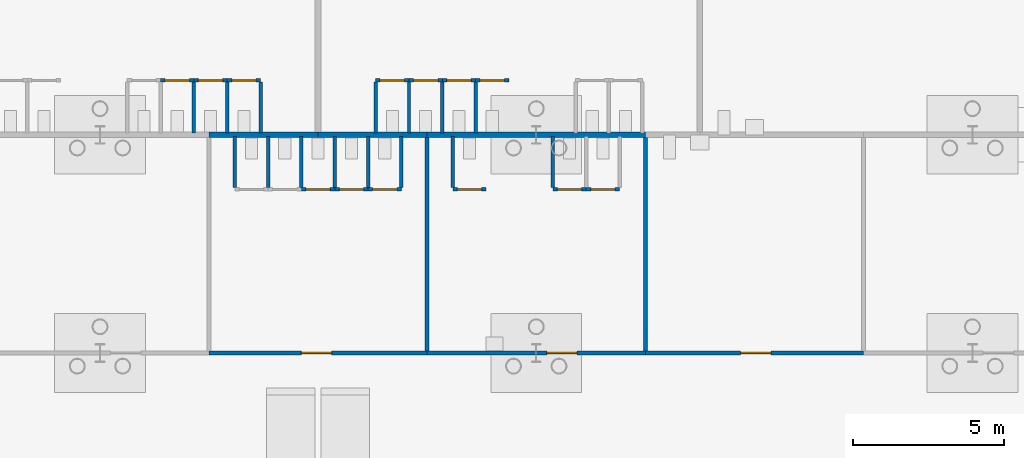
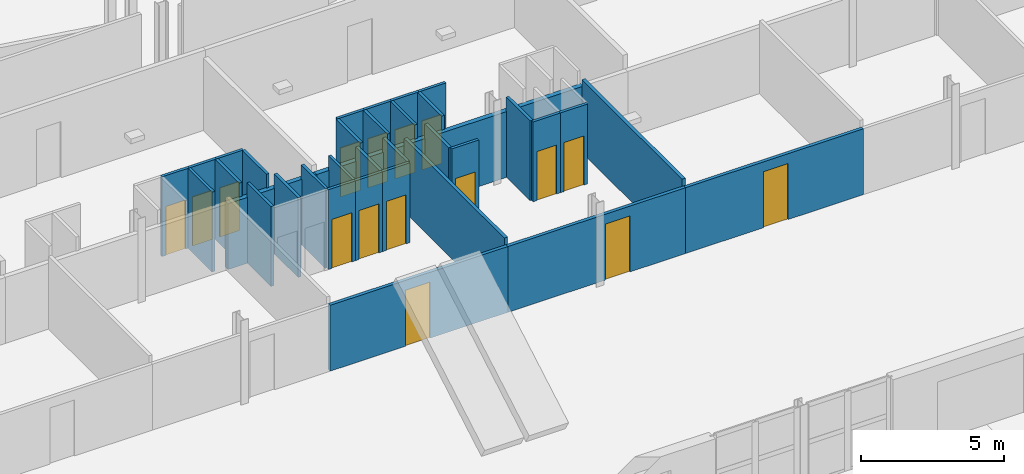
# One storey, part 77 of 148: 36 walls, 16 doors, 16 openings.
"""IFC4 building model written with IfcOpenShell, lengths in metres."""

from ifc_helpers import new_model, si_unit, direction, frame, frame_2d, origin, place, context, subcontext, project, spatial, rectangle, extrude, material, layer, layer_set, type_object, element, fill, save


model = new_model("IFC4")

# Units and contexts
model_context = context("Model", 3, precision=1e-05, world=origin(), true_north=direction((0.0, 1.0)))
body_context = subcontext(model_context, "Body", "Model", "MODEL_VIEW")
ifc_project = project(units=[si_unit("LENGTHUNIT", "METRE"), si_unit("AREAUNIT", "SQUARE_METRE"), si_unit("VOLUMEUNIT", "CUBIC_METRE"), si_unit("PLANEANGLEUNIT", "RADIAN"), si_unit("MASSUNIT", "GRAM", prefix="KILO")], contexts=[model_context])

# Site, building, storey
site_placement = place(None, origin())
site = spatial("IfcSite", under=ifc_project, at=site_placement, CompositionType="ELEMENT")
building_placement = place(site_placement, origin())
building = spatial("IfcBuilding", under=site, at=building_placement, Name="Kupolbacken Congress Centre", CompositionType="ELEMENT")
storey_placement = place(building_placement, origin())
storey = spatial("IfcBuildingStorey", under=building, at=storey_placement, Name="L00", CompositionType="ELEMENT", Elevation=0.0)

# Walls
ifc_material_1 = material(Name="Gypsum board", Category="drywall")
ifc_layer_1 = layer(ifc_material_1, 0.114990234375)
ifc_layer_set_1 = layer_set([ifc_layer_1], Name="Gypsum board")
wall_type_1 = type_object("IfcWallType", Name="P04 partition 115", PredefinedType="PARTITIONING", material=ifc_layer_set_1)
for number, where, z_axis, x_axis, name in (
    (1, (40.449951171875, 50.342529296875, 0.0), (0.0, 0.0, 1.0), (0.0, -1.0, 0.0), "PD/L00/F-19/cub01/a"),
    (2, (41.550048828125, 50.342529296875, 0.0), (0.0, 0.0, 1.0), (0.0, -1.0, 0.0), "PD/L00/F-19/cub02/a"),
):
    element("IfcWall", number, at=place(storey_placement, frame(where, z_axis=z_axis, x_axis=x_axis)), inside=storey, type_object=wall_type_1, Name=name, PredefinedType="PARTITIONING", context=body_context, shape_type="SweptSolid", body=[
        extrude(rectangle(XDim=1.68505859375, YDim=0.114990234375, at=frame_2d((0.842529296875, 0.0))), origin(), (0.0, 0.0, 1.0), 3.419921875),
    ])

# Wall, opening, door
wall_1_placement = place(storey_placement, frame((42.64990234375, 48.60009765625, 0.0), z_axis=(0.0, 0.0, 1.0), x_axis=(1.0, 0.0, 0.0)))
wall_1 = element("IfcWall", 3, at=wall_1_placement, inside=storey, type_object=wall_type_1, Name="PD/L00/F-19/cub03/F", PredefinedType="PARTITIONING", context=body_context, shape_type="SweptSolid", body=[
    extrude(rectangle(XDim=1.10009765625, YDim=0.114990234375, at=frame_2d((0.550048828125, 0.0))), origin(), (0.0, 0.0, 1.0), 3.419921875),
])
opening_1_placement = place(wall_1_placement, frame((0.14990234375, 0.0, 0.0)))
opening_1 = element("IfcOpeningElement", 4, at=opening_1_placement, cuts=wall_1, Name="Opening 0.WF03", PredefinedType="OPENING", context=body_context, shape_type="SweptSolid", body=[
    extrude(rectangle(XDim=0.800048828125, YDim=2.10009765625, at=frame_2d((0.39990234375, 1.050048828125))), frame((0.0, 0.0673828125, 0.0), z_axis=(0.0, -1.0, 0.0), x_axis=(1.0, 0.0, 0.0)), (0.0, 0.0, 1.0), 0.135009765625),
])
ifc_material_2 = material(Name="Timber door leaf", Category="wood")
door_type_1 = type_object("IfcDoorType", Name="D2 door 800x2100", OperationType="SINGLE_SWING_LEFT", PredefinedType="DOOR", material=ifc_material_2)
door_1_placement = place(opening_1_placement, origin())
door_1 = element("IfcDoor", 5, at=door_1_placement, inside=storey, type_object=door_type_1, Name="PD/L00/F-19/cub03/F/DC", OperationType="SINGLE_SWING_LEFT", OverallHeight=2.10009765625, OverallWidth=0.800048828125, PredefinedType="DOOR", context=body_context, shape_type="SweptSolid", body=[
    extrude(rectangle(XDim=0.800048828125, YDim=2.10009765625, at=frame_2d((0.39990234375, 1.050048828125))), frame((0.0, 0.02490234375, 0.0), z_axis=(0.0, -1.0, 0.0), x_axis=(1.0, 0.0, 0.0)), (0.0, 0.0, 1.0), 0.050048828125),
])
fill(opening_1, door_1)

# Wall
wall_2_placement = place(storey_placement, frame((42.64990234375, 50.342529296875, 0.0), z_axis=(0.0, 0.0, 1.0), x_axis=(0.0, -1.0, 0.0)))
element("IfcWall", 6, at=wall_2_placement, inside=storey, type_object=wall_type_1, Name="PD/L00/F-19/cub03/a", PredefinedType="PARTITIONING", context=body_context, shape_type="SweptSolid", body=[
    extrude(rectangle(XDim=1.68505859375, YDim=0.114990234375, at=frame_2d((0.842529296875, 0.0))), origin(), (0.0, 0.0, 1.0), 3.419921875),
])

# Wall, opening, door
wall_3_placement = place(storey_placement, frame((43.75, 48.60009765625, 0.0), z_axis=(0.0, 0.0, 1.0), x_axis=(1.0, 0.0, 0.0)))
wall_3 = element("IfcWall", 7, at=wall_3_placement, inside=storey, type_object=wall_type_1, Name="PD/L00/F-19/cub04/F", PredefinedType="PARTITIONING", context=body_context, shape_type="SweptSolid", body=[
    extrude(rectangle(XDim=1.10009765625, YDim=0.114990234375, at=frame_2d((0.550048828125, 0.0))), origin(), (0.0, 0.0, 1.0), 3.419921875),
])
opening_2_placement = place(wall_3_placement, frame((0.14990234375, 0.0, 0.0)))
opening_2 = element("IfcOpeningElement", 8, at=opening_2_placement, cuts=wall_3, Name="Opening 0.WF04", PredefinedType="OPENING", context=body_context, shape_type="SweptSolid", body=[
    extrude(rectangle(XDim=0.800048828125, YDim=2.10009765625, at=frame_2d((0.39990234375, 1.050048828125))), frame((0.0, 0.0673828125, 0.0), z_axis=(0.0, -1.0, 0.0), x_axis=(1.0, 0.0, 0.0)), (0.0, 0.0, 1.0), 0.135009765625),
])
door_2_placement = place(opening_2_placement, origin())
door_2 = element("IfcDoor", 9, at=door_2_placement, inside=storey, type_object=door_type_1, Name="PD/L00/F-19/cub04/F/DC", OperationType="SINGLE_SWING_RIGHT", OverallHeight=2.10009765625, OverallWidth=0.800048828125, PredefinedType="DOOR", context=body_context, shape_type="SweptSolid", body=[
    extrude(rectangle(XDim=0.800048828125, YDim=2.10009765625, at=frame_2d((0.39990234375, 1.050048828125))), frame((0.0, 0.02490234375, 0.0), z_axis=(0.0, -1.0, 0.0), x_axis=(1.0, 0.0, 0.0)), (0.0, 0.0, 1.0), 0.050048828125),
])
fill(opening_2, door_2)

# Wall
wall_4_placement = place(storey_placement, frame((43.75, 50.342529296875, 0.0), z_axis=(0.0, 0.0, 1.0), x_axis=(0.0, -1.0, 0.0)))
element("IfcWall", 10, at=wall_4_placement, inside=storey, type_object=wall_type_1, Name="PD/L00/F-19/cub04/a", PredefinedType="PARTITIONING", context=body_context, shape_type="SweptSolid", body=[
    extrude(rectangle(XDim=1.68505859375, YDim=0.114990234375, at=frame_2d((0.842529296875, 0.0))), origin(), (0.0, 0.0, 1.0), 3.419921875),
])

# Wall, opening, door
wall_5_placement = place(storey_placement, frame((44.85009765625, 48.60009765625, 0.0), z_axis=(0.0, 0.0, 1.0), x_axis=(1.0, 0.0, 0.0)))
wall_5 = element("IfcWall", 11, at=wall_5_placement, inside=storey, type_object=wall_type_1, Name="PD/L00/F-19/cub05/F", PredefinedType="PARTITIONING", context=body_context, shape_type="SweptSolid", body=[
    extrude(rectangle(XDim=1.099853515625, YDim=0.114990234375, at=frame_2d((0.5498046875, 0.0))), origin(), (0.0, 0.0, 1.0), 3.419921875),
])
opening_3_placement = place(wall_5_placement, frame((0.14990234375, 0.0, 0.0)))
opening_3 = element("IfcOpeningElement", 12, at=opening_3_placement, cuts=wall_5, Name="Opening 0.WF05", PredefinedType="OPENING", context=body_context, shape_type="SweptSolid", body=[
    extrude(rectangle(XDim=0.800048828125, YDim=2.10009765625, at=frame_2d((0.39990234375, 1.050048828125))), frame((0.0, 0.0673828125, 0.0), z_axis=(0.0, -1.0, 0.0), x_axis=(1.0, 0.0, 0.0)), (0.0, 0.0, 1.0), 0.135009765625),
])
door_3_placement = place(opening_3_placement, origin())
door_3 = element("IfcDoor", 13, at=door_3_placement, inside=storey, type_object=door_type_1, Name="PD/L00/F-19/cub05/F/DC", OperationType="SINGLE_SWING_RIGHT", OverallHeight=2.10009765625, OverallWidth=0.800048828125, PredefinedType="DOOR", context=body_context, shape_type="SweptSolid", body=[
    extrude(rectangle(XDim=0.800048828125, YDim=2.10009765625, at=frame_2d((0.39990234375, 1.050048828125))), frame((0.0, 0.02490234375, 0.0), z_axis=(0.0, -1.0, 0.0), x_axis=(1.0, 0.0, 0.0)), (0.0, 0.0, 1.0), 0.050048828125),
])
fill(opening_3, door_3)

# Walls
for number, where, z_axis, x_axis, name in (
    (14, (44.85009765625, 50.342529296875, 0.0), (0.0, 0.0, 1.0), (0.0, -1.0, 0.0), "PD/L00/F-19/cub05/a"),
    (15, (45.949951171875, 50.342529296875, 0.0), (0.0, 0.0, 1.0), (0.0, -1.0, 0.0), "PD/L00/F-19/cub05/b"),
):
    element("IfcWall", number, at=place(storey_placement, frame(where, z_axis=z_axis, x_axis=x_axis)), inside=storey, type_object=wall_type_1, Name=name, PredefinedType="PARTITIONING", context=body_context, shape_type="SweptSolid", body=[
        extrude(rectangle(XDim=1.68505859375, YDim=0.114990234375, at=frame_2d((0.842529296875, 0.0))), origin(), (0.0, 0.0, 1.0), 3.419921875),
    ])

# Wall, opening, door
wall_6_placement = place(storey_placement, frame((47.64990234375, 48.60009765625, 0.0), z_axis=(0.0, 0.0, 1.0), x_axis=(1.0, 0.0, 0.0)))
wall_6 = element("IfcWall", 16, at=wall_6_placement, inside=storey, type_object=wall_type_1, Name="PD/L00/F-20/cub01/F", PredefinedType="PARTITIONING", context=body_context, shape_type="SweptSolid", body=[
    extrude(rectangle(XDim=1.10009765625, YDim=0.114990234375, at=frame_2d((0.550048828125, 0.0))), origin(), (0.0, 0.0, 1.0), 3.419921875),
])
opening_4_placement = place(wall_6_placement, frame((0.14990234375, 0.0, 0.0)))
opening_4 = element("IfcOpeningElement", 17, at=opening_4_placement, cuts=wall_6, Name="Opening 0.WF06", PredefinedType="OPENING", context=body_context, shape_type="SweptSolid", body=[
    extrude(rectangle(XDim=0.800048828125, YDim=2.10009765625, at=frame_2d((0.39990234375, 1.050048828125))), frame((0.0, 0.0673828125, 0.0), z_axis=(0.0, -1.0, 0.0), x_axis=(1.0, 0.0, 0.0)), (0.0, 0.0, 1.0), 0.135009765625),
])
door_4_placement = place(opening_4_placement, origin())
door_4 = element("IfcDoor", 18, at=door_4_placement, inside=storey, type_object=door_type_1, Name="PD/L00/F-20/cub01/F/DC", OperationType="SINGLE_SWING_RIGHT", OverallHeight=2.10009765625, OverallWidth=0.800048828125, PredefinedType="DOOR", context=body_context, shape_type="SweptSolid", body=[
    extrude(rectangle(XDim=0.800048828125, YDim=2.10009765625, at=frame_2d((0.39990234375, 1.050048828125))), frame((0.0, 0.02490234375, 0.0), z_axis=(0.0, -1.0, 0.0), x_axis=(1.0, 0.0, 0.0)), (0.0, 0.0, 1.0), 0.050048828125),
])
fill(opening_4, door_4)

# Wall
wall_7_placement = place(storey_placement, frame((47.64990234375, 50.342529296875, 0.0), z_axis=(0.0, 0.0, 1.0), x_axis=(0.0, -1.0, 0.0)))
element("IfcWall", 19, at=wall_7_placement, inside=storey, type_object=wall_type_1, Name="PD/L00/F-20/cub01/a", PredefinedType="PARTITIONING", context=body_context, shape_type="SweptSolid", body=[
    extrude(rectangle(XDim=1.68505859375, YDim=0.114990234375, at=frame_2d((0.842529296875, 0.0))), origin(), (0.0, 0.0, 1.0), 3.419921875),
])

# Wall, opening, door
wall_8_placement = place(storey_placement, frame((50.949951171875, 48.60009765625, 0.0), z_axis=(0.0, 0.0, 1.0), x_axis=(1.0, 0.0, 0.0)))
wall_8 = element("IfcWall", 20, at=wall_8_placement, inside=storey, type_object=wall_type_1, Name="PD/L00/F-20/cub04/F", PredefinedType="PARTITIONING", context=body_context, shape_type="SweptSolid", body=[
    extrude(rectangle(XDim=1.10009765625, YDim=0.114990234375, at=frame_2d((0.550048828125, 0.0))), origin(), (0.0, 0.0, 1.0), 3.419921875),
])
opening_5_placement = place(wall_8_placement, frame((0.14990234375, 0.0, 0.0)))
opening_5 = element("IfcOpeningElement", 21, at=opening_5_placement, cuts=wall_8, Name="Opening 0.WF07", PredefinedType="OPENING", context=body_context, shape_type="SweptSolid", body=[
    extrude(rectangle(XDim=0.800048828125, YDim=2.10009765625, at=frame_2d((0.39990234375, 1.050048828125))), frame((0.0, 0.0673828125, 0.0), z_axis=(0.0, -1.0, 0.0), x_axis=(1.0, 0.0, 0.0)), (0.0, 0.0, 1.0), 0.135009765625),
])
door_5_placement = place(opening_5_placement, origin())
door_5 = element("IfcDoor", 22, at=door_5_placement, inside=storey, type_object=door_type_1, Name="PD/L00/F-20/cub04/F/DC", OperationType="SINGLE_SWING_LEFT", OverallHeight=2.10009765625, OverallWidth=0.800048828125, PredefinedType="DOOR", context=body_context, shape_type="SweptSolid", body=[
    extrude(rectangle(XDim=0.800048828125, YDim=2.10009765625, at=frame_2d((0.39990234375, 1.050048828125))), frame((0.0, 0.02490234375, 0.0), z_axis=(0.0, -1.0, 0.0), x_axis=(1.0, 0.0, 0.0)), (0.0, 0.0, 1.0), 0.050048828125),
])
fill(opening_5, door_5)

# Wall
wall_9_placement = place(storey_placement, frame((50.949951171875, 50.342529296875, 0.0), z_axis=(0.0, 0.0, 1.0), x_axis=(0.0, -1.0, 0.0)))
element("IfcWall", 23, at=wall_9_placement, inside=storey, type_object=wall_type_1, Name="PD/L00/F-20/cub04/a", PredefinedType="PARTITIONING", context=body_context, shape_type="SweptSolid", body=[
    extrude(rectangle(XDim=1.68505859375, YDim=0.114990234375, at=frame_2d((0.842529296875, 0.0))), origin(), (0.0, 0.0, 1.0), 3.419921875),
])

# Wall, opening, door
wall_10_placement = place(storey_placement, frame((52.050048828125, 48.60009765625, 0.0), z_axis=(0.0, 0.0, 1.0), x_axis=(1.0, 0.0, 0.0)))
wall_10 = element("IfcWall", 24, at=wall_10_placement, inside=storey, type_object=wall_type_1, Name="PD/L00/F-20/cub05/F", PredefinedType="PARTITIONING", context=body_context, shape_type="SweptSolid", body=[
    extrude(rectangle(XDim=1.099853515625, YDim=0.114990234375, at=frame_2d((0.5498046875, 0.0))), origin(), (0.0, 0.0, 1.0), 3.419921875),
])
opening_6_placement = place(wall_10_placement, frame((0.14990234375, 0.0, 0.0)))
opening_6 = element("IfcOpeningElement", 25, at=opening_6_placement, cuts=wall_10, Name="Opening 0.WF08", PredefinedType="OPENING", context=body_context, shape_type="SweptSolid", body=[
    extrude(rectangle(XDim=0.800048828125, YDim=2.10009765625, at=frame_2d((0.39990234375, 1.050048828125))), frame((0.0, 0.0673828125, 0.0), z_axis=(0.0, -1.0, 0.0), x_axis=(1.0, 0.0, 0.0)), (0.0, 0.0, 1.0), 0.135009765625),
])
door_6_placement = place(opening_6_placement, origin())
door_6 = element("IfcDoor", 26, at=door_6_placement, inside=storey, type_object=door_type_1, Name="PD/L00/F-20/cub05/F/DC", OperationType="SINGLE_SWING_RIGHT", OverallHeight=2.10009765625, OverallWidth=0.800048828125, PredefinedType="DOOR", context=body_context, shape_type="SweptSolid", body=[
    extrude(rectangle(XDim=0.800048828125, YDim=2.10009765625, at=frame_2d((0.39990234375, 1.050048828125))), frame((0.0, 0.02490234375, 0.0), z_axis=(0.0, -1.0, 0.0), x_axis=(1.0, 0.0, 0.0)), (0.0, 0.0, 1.0), 0.050048828125),
])
fill(opening_6, door_6)

wall_11_placement = place(storey_placement, frame((38.0, 52.199951171875, 0.0), z_axis=(0.0, 0.0, 1.0), x_axis=(1.0, 0.0, 0.0)))
wall_11 = element("IfcWall", 27, at=wall_11_placement, inside=storey, type_object=wall_type_1, Name="PD/L00/P-29-10/cub06/F", PredefinedType="PARTITIONING", context=body_context, shape_type="SweptSolid", body=[
    extrude(rectangle(XDim=1.10009765625, YDim=0.114990234375, at=frame_2d((0.550048828125, 0.0))), origin(), (0.0, 0.0, 1.0), 3.419921875),
])
opening_7_placement = place(wall_11_placement, frame((0.14990234375, 0.0, 0.0)))
opening_7 = element("IfcOpeningElement", 28, at=opening_7_placement, cuts=wall_11, Name="Opening 0.WP12", PredefinedType="OPENING", context=body_context, shape_type="SweptSolid", body=[
    extrude(rectangle(XDim=0.800048828125, YDim=2.10009765625, at=frame_2d((0.39990234375, 1.050048828125))), frame((0.0, 0.0673828125, 0.0), z_axis=(0.0, -1.0, 0.0), x_axis=(1.0, 0.0, 0.0)), (0.0, 0.0, 1.0), 0.135009765625),
])
door_7_placement = place(opening_7_placement, origin())
door_7 = element("IfcDoor", 29, at=door_7_placement, inside=storey, type_object=door_type_1, Name="PD/L00/P-29-10/cub06/F/DC", OperationType="SINGLE_SWING_LEFT", OverallHeight=2.10009765625, OverallWidth=0.800048828125, PredefinedType="DOOR", context=body_context, shape_type="SweptSolid", body=[
    extrude(rectangle(XDim=0.800048828125, YDim=2.10009765625, at=frame_2d((0.39990234375, 1.050048828125))), frame((0.0, 0.02490234375, 0.0), z_axis=(0.0, -1.0, 0.0), x_axis=(1.0, 0.0, 0.0)), (0.0, 0.0, 1.0), 0.050048828125),
])
fill(opening_7, door_7)

wall_12_placement = place(storey_placement, frame((39.10009765625, 52.199951171875, 0.0), z_axis=(0.0, 0.0, 1.0), x_axis=(1.0, 0.0, 0.0)))
wall_12 = element("IfcWall", 30, at=wall_12_placement, inside=storey, type_object=wall_type_1, Name="PD/L00/P-29-10/cub07/F", PredefinedType="PARTITIONING", context=body_context, shape_type="SweptSolid", body=[
    extrude(rectangle(XDim=1.099853515625, YDim=0.114990234375, at=frame_2d((0.5498046875, 0.0))), origin(), (0.0, 0.0, 1.0), 3.419921875),
])
opening_8_placement = place(wall_12_placement, frame((0.14990234375, 0.0, 0.0)))
opening_8 = element("IfcOpeningElement", 31, at=opening_8_placement, cuts=wall_12, Name="Opening 0.WP13", PredefinedType="OPENING", context=body_context, shape_type="SweptSolid", body=[
    extrude(rectangle(XDim=0.800048828125, YDim=2.10009765625, at=frame_2d((0.39990234375, 1.050048828125))), frame((0.0, 0.0673828125, 0.0), z_axis=(0.0, -1.0, 0.0), x_axis=(1.0, 0.0, 0.0)), (0.0, 0.0, 1.0), 0.135009765625),
])
door_8_placement = place(opening_8_placement, origin())
door_8 = element("IfcDoor", 32, at=door_8_placement, inside=storey, type_object=door_type_1, Name="PD/L00/P-29-10/cub07/F/DC", OperationType="SINGLE_SWING_LEFT", OverallHeight=2.10009765625, OverallWidth=0.800048828125, PredefinedType="DOOR", context=body_context, shape_type="SweptSolid", body=[
    extrude(rectangle(XDim=0.800048828125, YDim=2.10009765625, at=frame_2d((0.39990234375, 1.050048828125))), frame((0.0, 0.02490234375, 0.0), z_axis=(0.0, -1.0, 0.0), x_axis=(1.0, 0.0, 0.0)), (0.0, 0.0, 1.0), 0.050048828125),
])
fill(opening_8, door_8)

# Wall
wall_13_placement = place(storey_placement, frame((39.10009765625, 50.45751953125, 0.0), z_axis=(0.0, 0.0, 1.0), x_axis=(0.0, 1.0, 0.0)))
element("IfcWall", 33, at=wall_13_placement, inside=storey, type_object=wall_type_1, Name="PD/L00/P-29-10/cub07/a", PredefinedType="PARTITIONING", context=body_context, shape_type="SweptSolid", body=[
    extrude(rectangle(XDim=1.68505859375, YDim=0.114990234375, at=frame_2d((0.842529296875, 0.0))), origin(), (0.0, 0.0, 1.0), 3.419921875),
])

# Wall, opening, door
wall_14_placement = place(storey_placement, frame((40.199951171875, 52.199951171875, 0.0), z_axis=(0.0, 0.0, 1.0), x_axis=(1.0, 0.0, 0.0)))
wall_14 = element("IfcWall", 34, at=wall_14_placement, inside=storey, type_object=wall_type_1, Name="PD/L00/P-29-10/cub08/F", PredefinedType="PARTITIONING", context=body_context, shape_type="SweptSolid", body=[
    extrude(rectangle(XDim=1.10009765625, YDim=0.114990234375, at=frame_2d((0.550048828125, 0.0))), origin(), (0.0, 0.0, 1.0), 3.419921875),
])
opening_9_placement = place(wall_14_placement, frame((0.14990234375, 0.0, 0.0)))
opening_9 = element("IfcOpeningElement", 35, at=opening_9_placement, cuts=wall_14, Name="Opening 0.WP14", PredefinedType="OPENING", context=body_context, shape_type="SweptSolid", body=[
    extrude(rectangle(XDim=0.800048828125, YDim=2.10009765625, at=frame_2d((0.39990234375, 1.050048828125))), frame((0.0, 0.0673828125, 0.0), z_axis=(0.0, -1.0, 0.0), x_axis=(1.0, 0.0, 0.0)), (0.0, 0.0, 1.0), 0.135009765625),
])
door_9_placement = place(opening_9_placement, origin())
door_9 = element("IfcDoor", 36, at=door_9_placement, inside=storey, type_object=door_type_1, Name="PD/L00/P-29-10/cub08/F/DC", OperationType="SINGLE_SWING_LEFT", OverallHeight=2.10009765625, OverallWidth=0.800048828125, PredefinedType="DOOR", context=body_context, shape_type="SweptSolid", body=[
    extrude(rectangle(XDim=0.800048828125, YDim=2.10009765625, at=frame_2d((0.39990234375, 1.050048828125))), frame((0.0, 0.02490234375, 0.0), z_axis=(0.0, -1.0, 0.0), x_axis=(1.0, 0.0, 0.0)), (0.0, 0.0, 1.0), 0.050048828125),
])
fill(opening_9, door_9)

# Walls
for number, where, z_axis, x_axis, name in (
    (37, (40.199951171875, 50.45751953125, 0.0), (0.0, 0.0, 1.0), (0.0, 1.0, 0.0), "PD/L00/P-29-10/cub08/a"),
    (38, (41.300048828125, 50.45751953125, 0.0), (0.0, 0.0, 1.0), (0.0, 1.0, 0.0), "PD/L00/P-29-10/cub08/b"),
):
    element("IfcWall", number, at=place(storey_placement, frame(where, z_axis=z_axis, x_axis=x_axis)), inside=storey, type_object=wall_type_1, Name=name, PredefinedType="PARTITIONING", context=body_context, shape_type="SweptSolid", body=[
        extrude(rectangle(XDim=1.68505859375, YDim=0.114990234375, at=frame_2d((0.842529296875, 0.0))), origin(), (0.0, 0.0, 1.0), 3.419921875),
    ])

# Wall, opening, door
wall_15_placement = place(storey_placement, frame((45.10009765625, 52.199951171875, 0.0), z_axis=(0.0, 0.0, 1.0), x_axis=(1.0, 0.0, 0.0)))
wall_15 = element("IfcWall", 39, at=wall_15_placement, inside=storey, type_object=wall_type_1, Name="PD/L00/P-30-11/cub01/F", PredefinedType="PARTITIONING", context=body_context, shape_type="SweptSolid", body=[
    extrude(rectangle(XDim=1.099853515625, YDim=0.114990234375, at=frame_2d((0.5498046875, 0.0))), origin(), (0.0, 0.0, 1.0), 3.419921875),
])
opening_10_placement = place(wall_15_placement, frame((0.14990234375, 0.0, 0.0)))
opening_10 = element("IfcOpeningElement", 40, at=opening_10_placement, cuts=wall_15, Name="Opening 0.WP15", PredefinedType="OPENING", context=body_context, shape_type="SweptSolid", body=[
    extrude(rectangle(XDim=0.800048828125, YDim=2.10009765625, at=frame_2d((0.39990234375, 1.050048828125))), frame((0.0, 0.0673828125, 0.0), z_axis=(0.0, -1.0, 0.0), x_axis=(1.0, 0.0, 0.0)), (0.0, 0.0, 1.0), 0.135009765625),
])
door_10_placement = place(opening_10_placement, origin())
door_10 = element("IfcDoor", 41, at=door_10_placement, inside=storey, type_object=door_type_1, Name="PD/L00/P-30-11/cub01/F/DC", OperationType="SINGLE_SWING_RIGHT", OverallHeight=2.10009765625, OverallWidth=0.800048828125, PredefinedType="DOOR", context=body_context, shape_type="SweptSolid", body=[
    extrude(rectangle(XDim=0.800048828125, YDim=2.10009765625, at=frame_2d((0.39990234375, 1.050048828125))), frame((0.0, 0.02490234375, 0.0), z_axis=(0.0, -1.0, 0.0), x_axis=(1.0, 0.0, 0.0)), (0.0, 0.0, 1.0), 0.050048828125),
])
fill(opening_10, door_10)

# Wall
wall_16_placement = place(storey_placement, frame((45.10009765625, 50.45751953125, 0.0), z_axis=(0.0, 0.0, 1.0), x_axis=(0.0, 1.0, 0.0)))
element("IfcWall", 42, at=wall_16_placement, inside=storey, type_object=wall_type_1, Name="PD/L00/P-30-11/cub01/a", PredefinedType="PARTITIONING", context=body_context, shape_type="SweptSolid", body=[
    extrude(rectangle(XDim=1.68505859375, YDim=0.114990234375, at=frame_2d((0.842529296875, 0.0))), origin(), (0.0, 0.0, 1.0), 3.419921875),
])

# Wall, opening, door
wall_17_placement = place(storey_placement, frame((46.199951171875, 52.199951171875, 0.0), z_axis=(0.0, 0.0, 1.0), x_axis=(1.0, 0.0, 0.0)))
wall_17 = element("IfcWall", 43, at=wall_17_placement, inside=storey, type_object=wall_type_1, Name="PD/L00/P-30-11/cub02/F", PredefinedType="PARTITIONING", context=body_context, shape_type="SweptSolid", body=[
    extrude(rectangle(XDim=1.10009765625, YDim=0.114990234375, at=frame_2d((0.550048828125, 0.0))), origin(), (0.0, 0.0, 1.0), 3.419921875),
])
opening_11_placement = place(wall_17_placement, frame((0.14990234375, 0.0, 0.0)))
opening_11 = element("IfcOpeningElement", 44, at=opening_11_placement, cuts=wall_17, Name="Opening 0.WP16", PredefinedType="OPENING", context=body_context, shape_type="SweptSolid", body=[
    extrude(rectangle(XDim=0.800048828125, YDim=2.10009765625, at=frame_2d((0.39990234375, 1.050048828125))), frame((0.0, 0.0673828125, 0.0), z_axis=(0.0, -1.0, 0.0), x_axis=(1.0, 0.0, 0.0)), (0.0, 0.0, 1.0), 0.135009765625),
])
door_11_placement = place(opening_11_placement, origin())
door_11 = element("IfcDoor", 45, at=door_11_placement, inside=storey, type_object=door_type_1, Name="PD/L00/P-30-11/cub02/F/DC", OperationType="SINGLE_SWING_LEFT", OverallHeight=2.10009765625, OverallWidth=0.800048828125, PredefinedType="DOOR", context=body_context, shape_type="SweptSolid", body=[
    extrude(rectangle(XDim=0.800048828125, YDim=2.10009765625, at=frame_2d((0.39990234375, 1.050048828125))), frame((0.0, 0.02490234375, 0.0), z_axis=(0.0, -1.0, 0.0), x_axis=(1.0, 0.0, 0.0)), (0.0, 0.0, 1.0), 0.050048828125),
])
fill(opening_11, door_11)

# Wall
wall_18_placement = place(storey_placement, frame((46.199951171875, 50.45751953125, 0.0), z_axis=(0.0, 0.0, 1.0), x_axis=(0.0, 1.0, 0.0)))
element("IfcWall", 46, at=wall_18_placement, inside=storey, type_object=wall_type_1, Name="PD/L00/P-30-11/cub02/a", PredefinedType="PARTITIONING", context=body_context, shape_type="SweptSolid", body=[
    extrude(rectangle(XDim=1.68505859375, YDim=0.114990234375, at=frame_2d((0.842529296875, 0.0))), origin(), (0.0, 0.0, 1.0), 3.419921875),
])

# Wall, opening, door
wall_19_placement = place(storey_placement, frame((47.300048828125, 52.199951171875, 0.0), z_axis=(0.0, 0.0, 1.0), x_axis=(1.0, 0.0, 0.0)))
wall_19 = element("IfcWall", 47, at=wall_19_placement, inside=storey, type_object=wall_type_1, Name="PD/L00/P-30-11/cub03/F", PredefinedType="PARTITIONING", context=body_context, shape_type="SweptSolid", body=[
    extrude(rectangle(XDim=1.099853515625, YDim=0.114990234375, at=frame_2d((0.5498046875, 0.0))), origin(), (0.0, 0.0, 1.0), 3.419921875),
])
opening_12_placement = place(wall_19_placement, frame((0.14990234375, 0.0, 0.0)))
opening_12 = element("IfcOpeningElement", 48, at=opening_12_placement, cuts=wall_19, Name="Opening 0.WP17", PredefinedType="OPENING", context=body_context, shape_type="SweptSolid", body=[
    extrude(rectangle(XDim=0.800048828125, YDim=2.10009765625, at=frame_2d((0.39990234375, 1.050048828125))), frame((0.0, 0.0673828125, 0.0), z_axis=(0.0, -1.0, 0.0), x_axis=(1.0, 0.0, 0.0)), (0.0, 0.0, 1.0), 0.135009765625),
])
door_12_placement = place(opening_12_placement, origin())
door_12 = element("IfcDoor", 49, at=door_12_placement, inside=storey, type_object=door_type_1, Name="PD/L00/P-30-11/cub03/F/DC", OperationType="SINGLE_SWING_RIGHT", OverallHeight=2.10009765625, OverallWidth=0.800048828125, PredefinedType="DOOR", context=body_context, shape_type="SweptSolid", body=[
    extrude(rectangle(XDim=0.800048828125, YDim=2.10009765625, at=frame_2d((0.39990234375, 1.050048828125))), frame((0.0, 0.02490234375, 0.0), z_axis=(0.0, -1.0, 0.0), x_axis=(1.0, 0.0, 0.0)), (0.0, 0.0, 1.0), 0.050048828125),
])
fill(opening_12, door_12)

# Wall
wall_20_placement = place(storey_placement, frame((47.300048828125, 50.45751953125, 0.0), z_axis=(0.0, 0.0, 1.0), x_axis=(0.0, 1.0, 0.0)))
element("IfcWall", 50, at=wall_20_placement, inside=storey, type_object=wall_type_1, Name="PD/L00/P-30-11/cub03/a", PredefinedType="PARTITIONING", context=body_context, shape_type="SweptSolid", body=[
    extrude(rectangle(XDim=1.68505859375, YDim=0.114990234375, at=frame_2d((0.842529296875, 0.0))), origin(), (0.0, 0.0, 1.0), 3.419921875),
])

# Wall, opening, door
wall_21_placement = place(storey_placement, frame((48.39990234375, 52.199951171875, 0.0), z_axis=(0.0, 0.0, 1.0), x_axis=(1.0, 0.0, 0.0)))
wall_21 = element("IfcWall", 51, at=wall_21_placement, inside=storey, type_object=wall_type_1, Name="PD/L00/P-30-11/cub04/F", PredefinedType="PARTITIONING", context=body_context, shape_type="SweptSolid", body=[
    extrude(rectangle(XDim=1.10009765625, YDim=0.114990234375, at=frame_2d((0.550048828125, 0.0))), origin(), (0.0, 0.0, 1.0), 3.419921875),
])
opening_13_placement = place(wall_21_placement, frame((0.14990234375, 0.0, 0.0)))
opening_13 = element("IfcOpeningElement", 52, at=opening_13_placement, cuts=wall_21, Name="Opening 0.WP18", PredefinedType="OPENING", context=body_context, shape_type="SweptSolid", body=[
    extrude(rectangle(XDim=0.800048828125, YDim=2.10009765625, at=frame_2d((0.39990234375, 1.050048828125))), frame((0.0, 0.0673828125, 0.0), z_axis=(0.0, -1.0, 0.0), x_axis=(1.0, 0.0, 0.0)), (0.0, 0.0, 1.0), 0.135009765625),
])
door_13_placement = place(opening_13_placement, origin())
door_13 = element("IfcDoor", 53, at=door_13_placement, inside=storey, type_object=door_type_1, Name="PD/L00/P-30-11/cub04/F/DC", OperationType="SINGLE_SWING_RIGHT", OverallHeight=2.10009765625, OverallWidth=0.800048828125, PredefinedType="DOOR", context=body_context, shape_type="SweptSolid", body=[
    extrude(rectangle(XDim=0.800048828125, YDim=2.10009765625, at=frame_2d((0.39990234375, 1.050048828125))), frame((0.0, 0.02490234375, 0.0), z_axis=(0.0, -1.0, 0.0), x_axis=(1.0, 0.0, 0.0)), (0.0, 0.0, 1.0), 0.050048828125),
])
fill(opening_13, door_13)

# Wall
wall_22_placement = place(storey_placement, frame((48.39990234375, 50.45751953125, 0.0), z_axis=(0.0, 0.0, 1.0), x_axis=(0.0, 1.0, 0.0)))
element("IfcWall", 54, at=wall_22_placement, inside=storey, type_object=wall_type_1, Name="PD/L00/P-30-11/cub04/a", PredefinedType="PARTITIONING", context=body_context, shape_type="SweptSolid", body=[
    extrude(rectangle(XDim=1.68505859375, YDim=0.114990234375, at=frame_2d((0.842529296875, 0.0))), origin(), (0.0, 0.0, 1.0), 3.419921875),
])

# Wall, opening, door
ifc_material_3 = material(Name="Gypsum board", Category="drywall")
ifc_layer_2 = layer(ifc_material_3, 0.135009765625)
ifc_layer_set_2 = layer_set([ifc_layer_2], Name="Gypsum board")
wall_type_2 = type_object("IfcWallType", Name="P06 compartment wall 135", PredefinedType="PARTITIONING", material=ifc_layer_set_2)
wall_23_placement = place(storey_placement, frame((39.60009765625, 43.199951171875, 0.0), z_axis=(0.0, 0.0, 1.0), x_axis=(1.0, 0.0, 0.0)))
wall_23 = element("IfcWall", 55, at=wall_23_placement, inside=storey, type_object=wall_type_2, Name="PD/L00/W033", PredefinedType="PARTITIONING", context=body_context, shape_type="SweptSolid", body=[
    extrude(rectangle(XDim=7.199951171875, YDim=0.135009765625, at=frame_2d((3.60009765625, 0.0))), origin(), (0.0, 0.0, 1.0), 2.820068359375),
])
opening_14_placement = place(wall_23_placement, frame((3.050048828125, 0.0, 0.0)))
opening_14 = element("IfcOpeningElement", 56, at=opening_14_placement, cuts=wall_23, Name="Opening 0.F10", PredefinedType="OPENING", context=body_context, shape_type="SweptSolid", body=[
    extrude(rectangle(XDim=1.0, YDim=2.39990234375, at=frame_2d((0.5, 1.199951171875))), frame((0.0, 0.077392578125, 0.0), z_axis=(0.0, -1.0, 0.0), x_axis=(1.0, 0.0, 0.0)), (0.0, 0.0, 1.0), 0.155029296875),
])
ifc_material_4 = material(Name="Steel fire door leaf", Category="steel")
door_type_2 = type_object("IfcDoorType", Name="D8 fire door 1000x2400", OperationType="SINGLE_SWING_LEFT", PredefinedType="DOOR", material=ifc_material_4)
door_14_placement = place(opening_14_placement, origin())
door_14 = element("IfcDoor", 57, at=door_14_placement, inside=storey, type_object=door_type_2, Name="PD/L00/W033/D0F10", OperationType="SINGLE_SWING_RIGHT", OverallHeight=2.39990234375, OverallWidth=1.0, PredefinedType="DOOR", context=body_context, shape_type="SweptSolid", body=[
    extrude(rectangle(XDim=1.0, YDim=2.39990234375, at=frame_2d((0.5, 1.199951171875))), frame((0.0, 0.02490234375, 0.0), z_axis=(0.0, -1.0, 0.0), x_axis=(1.0, 0.0, 0.0)), (0.0, 0.0, 1.0), 0.050048828125),
])
fill(opening_14, door_14)

wall_24_placement = place(storey_placement, frame((46.800048828125, 43.199951171875, 0.0), z_axis=(0.0, 0.0, 1.0), x_axis=(1.0, 0.0, 0.0)))
wall_24 = element("IfcWall", 58, at=wall_24_placement, inside=storey, type_object=wall_type_2, Name="PD/L00/W034", PredefinedType="PARTITIONING", context=body_context, shape_type="SweptSolid", body=[
    extrude(rectangle(XDim=7.199951171875, YDim=0.135009765625, at=frame_2d((3.60009765625, 0.0))), origin(), (0.0, 0.0, 1.0), 2.820068359375),
])
opening_15_placement = place(wall_24_placement, frame((3.949951171875, 0.0, 0.0)))
opening_15 = element("IfcOpeningElement", 59, at=opening_15_placement, cuts=wall_24, Name="Opening 0.F11", PredefinedType="OPENING", context=body_context, shape_type="SweptSolid", body=[
    extrude(rectangle(XDim=1.0, YDim=2.39990234375, at=frame_2d((0.5, 1.199951171875))), frame((0.0, 0.077392578125, 0.0), z_axis=(0.0, -1.0, 0.0), x_axis=(1.0, 0.0, 0.0)), (0.0, 0.0, 1.0), 0.155029296875),
])
door_15_placement = place(opening_15_placement, origin())
door_15 = element("IfcDoor", 60, at=door_15_placement, inside=storey, type_object=door_type_2, Name="PD/L00/W034/D0F11", OperationType="SINGLE_SWING_LEFT", OverallHeight=2.39990234375, OverallWidth=1.0, PredefinedType="DOOR", context=body_context, shape_type="SweptSolid", body=[
    extrude(rectangle(XDim=1.0, YDim=2.39990234375, at=frame_2d((0.5, 1.199951171875))), frame((0.0, 0.02490234375, 0.0), z_axis=(0.0, -1.0, 0.0), x_axis=(1.0, 0.0, 0.0)), (0.0, 0.0, 1.0), 0.050048828125),
])
fill(opening_15, door_15)

wall_25_placement = place(storey_placement, frame((54.0, 43.199951171875, 0.0), z_axis=(0.0, 0.0, 1.0), x_axis=(1.0, 0.0, 0.0)))
wall_25 = element("IfcWall", 61, at=wall_25_placement, inside=storey, type_object=wall_type_2, Name="PD/L00/W035", PredefinedType="PARTITIONING", context=body_context, shape_type="SweptSolid", body=[
    extrude(rectangle(XDim=7.199951171875, YDim=0.135009765625, at=frame_2d((3.60009765625, 0.0))), origin(), (0.0, 0.0, 1.0), 2.820068359375),
])
opening_16_placement = place(wall_25_placement, frame((3.14990234375, 0.0, 0.0)))
opening_16 = element("IfcOpeningElement", 62, at=opening_16_placement, cuts=wall_25, Name="Opening 0.F12", PredefinedType="OPENING", context=body_context, shape_type="SweptSolid", body=[
    extrude(rectangle(XDim=1.0, YDim=2.39990234375, at=frame_2d((0.5, 1.199951171875))), frame((0.0, 0.077392578125, 0.0), z_axis=(0.0, -1.0, 0.0), x_axis=(1.0, 0.0, 0.0)), (0.0, 0.0, 1.0), 0.155029296875),
])
door_16_placement = place(opening_16_placement, origin())
door_16 = element("IfcDoor", 63, at=door_16_placement, inside=storey, type_object=door_type_2, Name="PD/L00/W035/D0F12", OperationType="SINGLE_SWING_LEFT", OverallHeight=2.39990234375, OverallWidth=1.0, PredefinedType="DOOR", context=body_context, shape_type="SweptSolid", body=[
    extrude(rectangle(XDim=1.0, YDim=2.39990234375, at=frame_2d((0.5, 1.199951171875))), frame((0.0, 0.02490234375, 0.0), z_axis=(0.0, -1.0, 0.0), x_axis=(1.0, 0.0, 0.0)), (0.0, 0.0, 1.0), 0.050048828125),
])
fill(opening_16, door_16)

# Walls
for number, where, z_axis, x_axis, name in (
    (64, (46.800048828125, 50.304931640625, 0.0), (0.0, 0.0, 1.0), (0.0, -1.0, 0.0), "PD/L00/W047"),
    (65, (54.0, 50.304931640625, 0.0), (0.0, 0.0, 1.0), (0.0, -1.0, 0.0), "PD/L00/W050"),
):
    element("IfcWall", number, at=place(storey_placement, frame(where, z_axis=z_axis, x_axis=x_axis)), inside=storey, type_object=wall_type_2, Name=name, PredefinedType="PARTITIONING", context=body_context, shape_type="SweptSolid", body=[
        extrude(rectangle(XDim=7.037353515625, YDim=0.135009765625, at=frame_2d((3.5185546875, 0.0))), origin(), (0.0, 0.0, 1.0), 3.1201171875),
    ])
ifc_material_5 = material(Name="Gypsum board", Category="drywall")
ifc_layer_3 = layer(ifc_material_5, 0.18994140625)
ifc_layer_set_3 = layer_set([ifc_layer_3], Name="Gypsum board")
wall_type_3 = type_object("IfcWallType", Name="P10 partition 190", PredefinedType="PARTITIONING", material=ifc_layer_set_3)
wall_26_placement = place(storey_placement, frame((39.60009765625, 50.39990234375, 0.0), z_axis=(0.0, 0.0, 1.0), x_axis=(1.0, 0.0, 0.0)))
element("IfcWall", 66, at=wall_26_placement, inside=storey, type_object=wall_type_3, Name="PD/L00/W048", PredefinedType="PARTITIONING", context=body_context, shape_type="SweptSolid", body=[
    extrude(rectangle(XDim=3.599853515625, YDim=0.18994140625, at=frame_2d((1.7998046875, 0.0))), origin(), (0.0, 0.0, 1.0), 2.820068359375),
])
wall_27_placement = place(storey_placement, frame((43.199951171875, 50.39990234375, 0.0), z_axis=(0.0, 0.0, 1.0), x_axis=(1.0, 0.0, 0.0)))
element("IfcWall", 67, at=wall_27_placement, inside=storey, type_object=wall_type_3, Name="PD/L00/W049", PredefinedType="PARTITIONING", context=body_context, shape_type="SweptSolid", body=[
    extrude(rectangle(XDim=3.60009765625, YDim=0.18994140625, at=frame_2d((1.800048828125, 0.0))), origin(), (0.0, 0.0, 1.0), 2.820068359375),
])
wall_28_placement = place(storey_placement, frame((46.800048828125, 50.39990234375, 0.0), z_axis=(0.0, 0.0, 1.0), x_axis=(1.0, 0.0, 0.0)))
element("IfcWall", 68, at=wall_28_placement, inside=storey, type_object=wall_type_3, Name="PD/L00/W051", PredefinedType="PARTITIONING", context=body_context, shape_type="SweptSolid", body=[
    extrude(rectangle(XDim=7.199951171875, YDim=0.18994140625, at=frame_2d((3.60009765625, 0.0))), origin(), (0.0, 0.0, 1.0), 2.820068359375),
])

save(model, "model.ifc")
